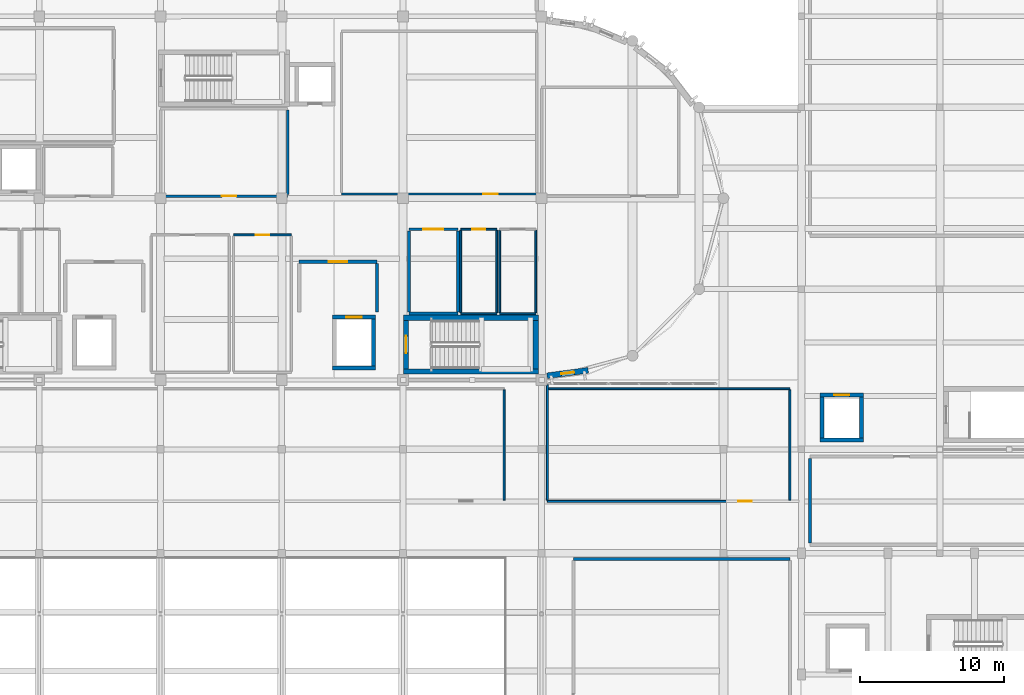
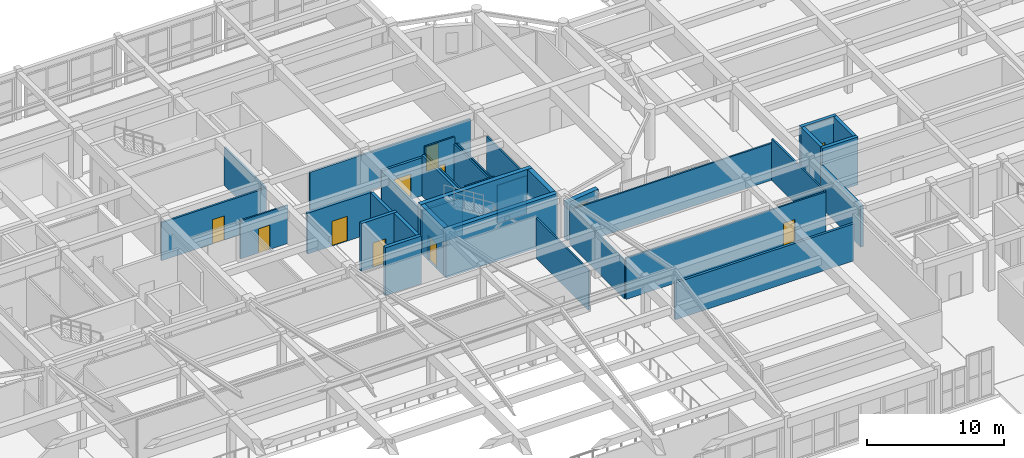
# One storey, part 71 of 91: 36 walls, 10 doors, 1 window, 11 openings.
"""IFC4 building model written with IfcOpenShell, lengths in metres."""

from ifc_helpers import new_model, si_unit, direction, frame, frame_2d, origin, place, context, subcontext, project, spatial, rectangle, extrude, material, layer, layer_set, type_object, element, fill, save


model = new_model("IFC4")

# Units and contexts
model_context = context("Model", 3, precision=1e-05, world=origin(), true_north=direction((0.0, 1.0)))
body_context = subcontext(model_context, "Body", "Model", "MODEL_VIEW")
ifc_project = project(units=[si_unit("LENGTHUNIT", "METRE"), si_unit("AREAUNIT", "SQUARE_METRE"), si_unit("VOLUMEUNIT", "CUBIC_METRE"), si_unit("PLANEANGLEUNIT", "RADIAN"), si_unit("MASSUNIT", "GRAM", prefix="KILO")], contexts=[model_context])

# Site, building, storey
site_placement = place(None, origin())
site = spatial("IfcSite", under=ifc_project, at=site_placement, CompositionType="ELEMENT")
building_placement = place(site_placement, origin())
building = spatial("IfcBuilding", under=site, at=building_placement, Name="Tarnavel Promenade Courthouse", CompositionType="ELEMENT")
storey_placement = place(building_placement, frame((0.0, 0.0, 9.89990234375)))
storey = spatial("IfcBuildingStorey", under=building, at=storey_placement, Name="L03", CompositionType="ELEMENT", Elevation=9.89990234375)

# Wall, opening, door
ifc_material_1 = material(Name="Acoustic Insulated Gypsum Stud Partition", Category="gypsum")
ifc_layer_1 = layer(ifc_material_1, 0.1650390625)
ifc_layer_set_1 = layer_set([ifc_layer_1], Name="Acoustic Insulated Gypsum Stud Partition")
wall_type_1 = type_object("IfcWallType", Name="Acoustic Insulated Gypsum Stud Partition WL-CHM-165 (165 mm)", PredefinedType="PARTITIONING", material=ifc_layer_set_1)
wall_1_placement = place(storey_placement, frame((84.39990234375, 91.949951171875, 0.0), z_axis=(0.0, 0.0, 1.0), x_axis=(-1.0, 0.0, 0.0)))
wall_1 = element("IfcWall", 1, at=wall_1_placement, inside=storey, type_object=wall_type_1, Name="L03 L03 Judicial Panel Deliberation Salon Partition 0533", PredefinedType="PARTITIONING", context=body_context, shape_type="SweptSolid", body=[
    extrude(rectangle(XDim=8.7998046875, YDim=0.1650390625, at=frame_2d((4.39990234375, 0.0))), origin(), (0.0, 0.0, 1.0), 3.380126953125),
])
opening_1_placement = place(wall_1_placement, frame((3.544921875, 0.0, 0.0)))
opening_1 = element("IfcOpeningElement", 2, at=opening_1_placement, cuts=wall_1, Name="Opening ID-03", PredefinedType="OPENING", context=body_context, shape_type="SweptSolid", body=[
    extrude(rectangle(XDim=1.0, YDim=2.14990234375, at=frame_2d((0.5, 1.074951171875))), frame((0.0, 0.092529296875, 0.0), z_axis=(0.0, -1.0, 0.0), x_axis=(1.0, 0.0, 0.0)), (0.0, 0.0, 1.0), 0.18505859375),
])
ifc_material_2 = material(Name="Acoustic Solid-Core Oak Jury Room Door")
door_type_1 = type_object("IfcDoorType", Name="Acoustic Solid-Core Oak Jury Room Door (DR-JRY-1000x2150)", OperationType="NOTDEFINED", PredefinedType="DOOR", material=ifc_material_2)
door_1_placement = place(opening_1_placement, origin())
door_1 = element("IfcDoor", 3, at=door_1_placement, inside=storey, type_object=door_type_1, Name="L03 L03 Judicial Panel Deliberation Salon Door 0153", OperationType="SINGLE_SWING_RIGHT", OverallHeight=2.14990234375, OverallWidth=1.0, PredefinedType="DOOR", context=body_context, shape_type="SweptSolid", body=[
    extrude(rectangle(XDim=1.0, YDim=2.14990234375, at=frame_2d((0.5, 1.074951171875))), frame((0.0, 0.02490234375, 0.0), z_axis=(0.0, -1.0, 0.0), x_axis=(1.0, 0.0, 0.0)), (0.0, 0.0, 1.0), 0.050048828125),
])
fill(opening_1, door_1)

# Wall
wall_2_placement = place(storey_placement, frame((84.39990234375, 97.907470703125, 0.0), z_axis=(0.0, 0.0, 1.0), x_axis=(0.0, -1.0, 0.0)))
element("IfcWall", 4, at=wall_2_placement, inside=storey, type_object=wall_type_1, Name="L03 L03 Judicial Panel Deliberation Salon Partition 0535", PredefinedType="PARTITIONING", context=body_context, shape_type="SweptSolid", body=[
    extrude(rectangle(XDim=5.864990234375, YDim=0.1650390625, at=frame_2d((2.9326171875, 0.0))), origin(), (0.0, 0.0, 1.0), 3.380126953125),
])

# Wall, opening, door
wall_3_placement = place(storey_placement, frame((101.659912109375, 92.090087890625, 0.0), z_axis=(0.0, 0.0, 1.0), x_axis=(-1.0, 0.0, 0.0)))
wall_3 = element("IfcWall", 5, at=wall_3_placement, inside=storey, type_object=wall_type_1, Name="L03 Sequestered Jury Room Central Partition 0537", PredefinedType="PARTITIONING", context=body_context, shape_type="SweptSolid", body=[
    extrude(rectangle(XDim=13.52001953125, YDim=0.1650390625, at=frame_2d((6.760009765625, 0.0))), origin(), (0.0, 0.0, 1.0), 3.380126953125),
])
opening_2_placement = place(wall_3_placement, frame((2.714111328125, 0.0, 0.0)))
opening_2 = element("IfcOpeningElement", 6, at=opening_2_placement, cuts=wall_3, Name="Opening ID-03", PredefinedType="OPENING", context=body_context, shape_type="SweptSolid", body=[
    extrude(rectangle(XDim=1.0, YDim=2.14990234375, at=frame_2d((0.5, 1.074951171875))), frame((0.0, 0.092529296875, 0.0), z_axis=(0.0, -1.0, 0.0), x_axis=(1.0, 0.0, 0.0)), (0.0, 0.0, 1.0), 0.18505859375),
])
door_2_placement = place(opening_2_placement, origin())
door_2 = element("IfcDoor", 7, at=door_2_placement, inside=storey, type_object=door_type_1, Name="L03 Sequestered Jury Room Central Door 0154", OperationType="SINGLE_SWING_LEFT", OverallHeight=2.14990234375, OverallWidth=1.0, PredefinedType="DOOR", context=body_context, shape_type="SweptSolid", body=[
    extrude(rectangle(XDim=1.0, YDim=2.14990234375, at=frame_2d((0.5, 1.074951171875))), frame((0.0, 0.02490234375, 0.0), z_axis=(0.0, -1.0, 0.0), x_axis=(1.0, 0.0, 0.0)), (0.0, 0.0, 1.0), 0.050048828125),
])
fill(opening_2, door_2)

ifc_material_3 = material(Name="Concrete C40/50", Category="concrete")
ifc_layer_2 = layer(ifc_material_3, 0.280029296875)
ifc_layer_set_2 = layer_set([ifc_layer_2], Name="Concrete C40/50")
wall_type_2 = type_object("IfcWallType", Name="Concrete C40/50 WL-SHR-280 (280 mm)", PredefinedType="SHEAR", material=ifc_layer_set_2)
wall_4_placement = place(storey_placement, frame((87.5, 83.56005859375, 0.0), z_axis=(0.0, 0.0, 1.0), x_axis=(1.0, 0.0, 0.0)))
wall_4 = element("IfcWall", 8, at=wall_4_placement, inside=storey, type_object=wall_type_2, Name="L03 L-FF2 Lift Shaft North Wall", PredefinedType="SHEAR", context=body_context, shape_type="SweptSolid", body=[
    extrude(rectangle(XDim=3.0, YDim=0.280029296875, at=frame_2d((1.5, 0.0))), origin(), (0.0, 0.0, 1.0), 4.25),
])
opening_3_placement = place(wall_4_placement, frame((0.949951171875, 0.0, 0.0)))
opening_3 = element("IfcOpeningElement", 9, at=opening_3_placement, cuts=wall_4, Name="Opening LD-01", PredefinedType="OPENING", context=body_context, shape_type="SweptSolid", body=[
    extrude(rectangle(XDim=1.10009765625, YDim=2.199951171875, at=frame_2d((0.550048828125, 1.10009765625))), frame((0.0, 0.14990234375, 0.0), z_axis=(0.0, -1.0, 0.0), x_axis=(1.0, 0.0, 0.0)), (0.0, 0.0, 1.0), 0.300048828125),
])
ifc_material_4 = material(Name="Stainless Steel Firefighting Lift Landing Sliding Door", Category="steel")
door_type_2 = type_object("IfcDoorType", Name="Stainless Steel Firefighting Lift Landing Sliding Door (LD-FF-1100x2200)", OperationType="NOTDEFINED", PredefinedType="DOOR", material=ifc_material_4)
door_3_placement = place(opening_3_placement, origin())
door_3 = element("IfcDoor", 10, at=door_3_placement, inside=storey, type_object=door_type_2, Name="L03 L-FF2 Lift Sliding Landing Door", OperationType="DOUBLE_DOOR_SLIDING", OverallHeight=2.199951171875, OverallWidth=1.10009765625, PredefinedType="DOOR", context=body_context, shape_type="SweptSolid", body=[
    extrude(rectangle(XDim=1.10009765625, YDim=2.199951171875, at=frame_2d((0.550048828125, 1.10009765625))), frame((0.0, 0.02490234375, 0.0), z_axis=(0.0, -1.0, 0.0), x_axis=(1.0, 0.0, 0.0)), (0.0, 0.0, 1.0), 0.050048828125),
])
fill(opening_3, door_3)

# Walls
wall_5_placement = place(storey_placement, frame((90.5, 80.0400390625, 0.0), z_axis=(0.0, 0.0, 1.0), x_axis=(-1.0, 0.0, 0.0)))
element("IfcWall", 11, at=wall_5_placement, inside=storey, type_object=wall_type_2, Name="L03 L-FF2 Lift Shaft South Wall", PredefinedType="SHEAR", context=body_context, shape_type="SweptSolid", body=[
    extrude(rectangle(XDim=3.0, YDim=0.280029296875, at=frame_2d((1.5, 0.0))), origin(), (0.0, 0.0, 1.0), 4.25),
])
wall_6_placement = place(storey_placement, frame((90.360107421875, 83.419921875, 0.0), z_axis=(0.0, 0.0, 1.0), x_axis=(0.0, -1.0, 0.0)))
element("IfcWall", 12, at=wall_6_placement, inside=storey, type_object=wall_type_2, Name="L03 L-FF2 Lift Shaft East Wall", PredefinedType="SHEAR", context=body_context, shape_type="SweptSolid", body=[
    extrude(rectangle(XDim=3.239990234375, YDim=0.280029296875, at=frame_2d((1.6201171875, 0.0))), origin(), (0.0, 0.0, 1.0), 4.25),
])

# Wall, opening, door
wall_7_placement = place(storey_placement, frame((121.300048828125, 78.159912109375, 0.0), z_axis=(0.0, 0.0, 1.0), x_axis=(1.0, 0.0, 0.0)))
wall_7 = element("IfcWall", 13, at=wall_7_placement, inside=storey, type_object=wall_type_2, Name="L03 L-CUS1 Lift Shaft North Wall", PredefinedType="SHEAR", context=body_context, shape_type="SweptSolid", body=[
    extrude(rectangle(XDim=3.0, YDim=0.280029296875, at=frame_2d((1.5, 0.0))), origin(), (0.0, 0.0, 1.0), 4.25),
])
opening_4_placement = place(wall_7_placement, frame((0.97509765625, 0.0, 0.0)))
opening_4 = element("IfcOpeningElement", 14, at=opening_4_placement, cuts=wall_7, Name="Opening LD-02", PredefinedType="OPENING", context=body_context, shape_type="SweptSolid", body=[
    extrude(rectangle(XDim=1.050048828125, YDim=2.199951171875, at=frame_2d((0.52490234375, 1.10009765625))), frame((0.0, 0.14990234375, 0.0), z_axis=(0.0, -1.0, 0.0), x_axis=(1.0, 0.0, 0.0)), (0.0, 0.0, 1.0), 0.300048828125),
])
ifc_material_5 = material(Name="Brushed Bronze Passenger Lift Landing Sliding Door")
door_type_3 = type_object("IfcDoorType", Name="Brushed Bronze Passenger Lift Landing Sliding Door (LD-PUB-1050x2200)", OperationType="NOTDEFINED", PredefinedType="DOOR", material=ifc_material_5)
door_4_placement = place(opening_4_placement, origin())
door_4 = element("IfcDoor", 15, at=door_4_placement, inside=storey, type_object=door_type_3, Name="L03 L-CUS1 Lift Sliding Landing Door", OperationType="DOUBLE_DOOR_SLIDING", OverallHeight=2.199951171875, OverallWidth=1.050048828125, PredefinedType="DOOR", context=body_context, shape_type="SweptSolid", body=[
    extrude(rectangle(XDim=1.050048828125, YDim=2.199951171875, at=frame_2d((0.52490234375, 1.10009765625))), frame((0.0, 0.02490234375, 0.0), z_axis=(0.0, -1.0, 0.0), x_axis=(1.0, 0.0, 0.0)), (0.0, 0.0, 1.0), 0.050048828125),
])
fill(opening_4, door_4)

# Walls
wall_8_placement = place(storey_placement, frame((124.300048828125, 75.0400390625, 0.0), z_axis=(0.0, 0.0, 1.0), x_axis=(-1.0, 0.0, 0.0)))
element("IfcWall", 16, at=wall_8_placement, inside=storey, type_object=wall_type_2, Name="L03 L-CUS1 Lift Shaft South Wall", PredefinedType="SHEAR", context=body_context, shape_type="SweptSolid", body=[
    extrude(rectangle(XDim=3.0, YDim=0.280029296875, at=frame_2d((1.5, 0.0))), origin(), (0.0, 0.0, 1.0), 4.25),
])
for number, where, z_axis, x_axis, name in (
    (17, (121.43994140625, 75.179931640625, 0.0), (0.0, 0.0, 1.0), (0.0, 1.0, 0.0), "L03 L-CUS1 Lift Shaft West Wall"),
    (18, (124.159912109375, 78.02001953125, 0.0), (0.0, 0.0, 1.0), (0.0, -1.0, 0.0), "L03 L-CUS1 Lift Shaft East Wall"),
):
    element("IfcWall", number, at=place(storey_placement, frame(where, z_axis=z_axis, x_axis=x_axis)), inside=storey, type_object=wall_type_2, Name=name, PredefinedType="SHEAR", context=body_context, shape_type="SweptSolid", body=[
        extrude(rectangle(XDim=2.840087890625, YDim=0.280029296875, at=frame_2d((1.419921875, 0.0))), origin(), (0.0, 0.0, 1.0), 4.25),
    ])
ifc_layer_3 = layer(ifc_material_3, 0.360107421875)
ifc_layer_set_3 = layer_set([ifc_layer_3], Name="Concrete C40/50")
wall_type_3 = type_object("IfcWallType", Name="Concrete C40/50 WL-SHR-360 (360 mm)", PredefinedType="SHEAR", material=ifc_layer_set_3)
for number, where, z_axis, x_axis, name in (
    (19, (92.419921875, 83.52001953125, 0.0), (0.0, 0.0, 1.0), (1.0, 0.0, 0.0), "L03 ST-02 Shear Core North Wall"),
    (20, (101.780029296875, 79.800048828125, 0.0), (0.0, 0.0, 1.0), (-1.0, 0.0, 0.0), "L03 ST-02 Shear Core South Wall"),
):
    element("IfcWall", number, at=place(storey_placement, frame(where, z_axis=z_axis, x_axis=x_axis)), inside=storey, type_object=wall_type_3, Name=name, PredefinedType="SHEAR", context=body_context, shape_type="SweptSolid", body=[
        extrude(rectangle(XDim=9.360107421875, YDim=0.360107421875, at=frame_2d((4.68017578125, 0.0))), origin(), (0.0, 0.0, 1.0), 4.25),
    ])

# Wall, opening, door
wall_9_placement = place(storey_placement, frame((92.60009765625, 79.97998046875, 0.0), z_axis=(0.0, 0.0, 1.0), x_axis=(0.0, 1.0, 0.0)))
wall_9 = element("IfcWall", 21, at=wall_9_placement, inside=storey, type_object=wall_type_3, Name="L03 ST-02 Shear Core West Landing Wall", PredefinedType="SHEAR", context=body_context, shape_type="SweptSolid", body=[
    extrude(rectangle(XDim=3.360107421875, YDim=0.360107421875, at=frame_2d((1.68017578125, 0.0))), origin(), (0.0, 0.0, 1.0), 4.25),
])
opening_5_placement = place(wall_9_placement, frame((1.080078125, 0.0, 0.0)))
opening_5 = element("IfcOpeningElement", 22, at=opening_5_placement, cuts=wall_9, Name="Opening FD-02", PredefinedType="OPENING", context=body_context, shape_type="SweptSolid", body=[
    extrude(rectangle(XDim=1.199951171875, YDim=2.199951171875, at=frame_2d((0.60009765625, 1.10009765625))), frame((0.0, 0.18994140625, 0.0), z_axis=(0.0, -1.0, 0.0), x_axis=(1.0, 0.0, 0.0)), (0.0, 0.0, 1.0), 0.380126953125),
])
ifc_material_6 = material(Name="Steel Fire-Rated Firefighting Stair Door", Category="steel")
door_type_4 = type_object("IfcDoorType", Name="Steel Fire-Rated Firefighting Stair Door (DR-ST-1200x2200)", OperationType="NOTDEFINED", PredefinedType="DOOR", material=ifc_material_6)
door_5_placement = place(opening_5_placement, origin())
door_5 = element("IfcDoor", 23, at=door_5_placement, inside=storey, type_object=door_type_4, Name="L03 ST-02 Protected Exit Stair Door", OperationType="SINGLE_SWING_LEFT", OverallHeight=2.199951171875, OverallWidth=1.199951171875, PredefinedType="DOOR", context=body_context, shape_type="SweptSolid", body=[
    extrude(rectangle(XDim=1.199951171875, YDim=2.199951171875, at=frame_2d((0.60009765625, 1.10009765625))), frame((0.0, 0.02490234375, 0.0), z_axis=(0.0, -1.0, 0.0), x_axis=(1.0, 0.0, 0.0)), (0.0, 0.0, 1.0), 0.050048828125),
])
fill(opening_5, door_5)

# Wall
wall_10_placement = place(storey_placement, frame((101.60009765625, 83.340087890625, 0.0), z_axis=(0.0, 0.0, 1.0), x_axis=(0.0, -1.0, 0.0)))
element("IfcWall", 24, at=wall_10_placement, inside=storey, type_object=wall_type_3, Name="L03 ST-02 Shear Core East Wall", PredefinedType="SHEAR", context=body_context, shape_type="SweptSolid", body=[
    extrude(rectangle(XDim=3.360107421875, YDim=0.360107421875, at=frame_2d((1.68017578125, 0.0))), origin(), (0.0, 0.0, 1.0), 4.25),
])

# Wall, opening, door
ifc_material_7 = material(Name="Concrete Masonry Fire Compartment Wall", Category="masonry")
ifc_layer_4 = layer(ifc_material_7, 0.205078125)
ifc_layer_set_4 = layer_set([ifc_layer_4], Name="Concrete Masonry Fire Compartment Wall")
wall_type_4 = type_object("IfcWallType", Name="Concrete Masonry Fire Compartment Wall WL-CMP-205 (205 mm)", PredefinedType="STANDARD", material=ifc_layer_set_4)
wall_11_placement = place(storey_placement, frame((92.800048828125, 89.64990234375, 0.0), z_axis=(0.0, 0.0, 1.0), x_axis=(1.0, 0.0, 0.0)))
wall_11 = element("IfcWall", 25, at=wall_11_placement, inside=storey, type_object=wall_type_4, Name="L03 L03 Court Transcript Records Room Partition 0428", PredefinedType="STANDARD", context=body_context, shape_type="SweptSolid", body=[
    extrude(rectangle(XDim=3.39990234375, YDim=0.205078125, at=frame_2d((1.699951171875, 0.0))), origin(), (0.0, 0.0, 1.0), 3.380126953125),
])
opening_6_placement = place(wall_11_placement, frame((1.0, 0.0, 0.0)))
opening_6 = element("IfcOpeningElement", 26, at=opening_6_placement, cuts=wall_11, Name="Opening FD-04", PredefinedType="OPENING", context=body_context, shape_type="SweptSolid", body=[
    extrude(rectangle(XDim=1.39990234375, YDim=2.25, at=frame_2d((0.699951171875, 1.125))), frame((0.0, 0.112548828125, 0.0), z_axis=(0.0, -1.0, 0.0), x_axis=(1.0, 0.0, 0.0)), (0.0, 0.0, 1.0), 0.22509765625),
])
ifc_material_8 = material(Name="Heavy Steel Plant Room Fire Door", Category="steel")
door_type_5 = type_object("IfcDoorType", Name="Heavy Steel Plant Room Fire Door (DR-PLT-1400x2250)", OperationType="NOTDEFINED", PredefinedType="DOOR", material=ifc_material_8)
door_6_placement = place(opening_6_placement, origin())
door_6 = element("IfcDoor", 27, at=door_6_placement, inside=storey, type_object=door_type_5, Name="L03 L03 Court Transcript Records Room Door 0122", OperationType="SINGLE_SWING_RIGHT", OverallHeight=2.25, OverallWidth=1.39990234375, PredefinedType="DOOR", context=body_context, shape_type="SweptSolid", body=[
    extrude(rectangle(XDim=1.39990234375, YDim=2.25, at=frame_2d((0.699951171875, 1.125))), frame((0.0, 0.02490234375, 0.0), z_axis=(0.0, -1.0, 0.0), x_axis=(1.0, 0.0, 0.0)), (0.0, 0.0, 1.0), 0.050048828125),
])
fill(opening_6, door_6)

# Walls
wall_12_placement = place(storey_placement, frame((96.199951171875, 83.800048828125, 0.0), z_axis=(0.0, 0.0, 1.0), x_axis=(-1.0, 0.0, 0.0)))
element("IfcWall", 28, at=wall_12_placement, inside=storey, type_object=wall_type_4, Name="L03 L03 Court Transcript Records Room Partition 0429", PredefinedType="STANDARD", context=body_context, shape_type="SweptSolid", body=[
    extrude(rectangle(XDim=3.39990234375, YDim=0.205078125, at=frame_2d((1.699951171875, 0.0))), origin(), (0.0, 0.0, 1.0), 3.380126953125),
])
wall_13_placement = place(storey_placement, frame((92.800048828125, 83.91259765625, 0.0), z_axis=(0.0, 0.0, 1.0), x_axis=(0.0, 1.0, 0.0)))
element("IfcWall", 29, at=wall_13_placement, inside=storey, type_object=wall_type_4, Name="L03 L03 Court Transcript Records Room Partition 0430", PredefinedType="STANDARD", context=body_context, shape_type="SweptSolid", body=[
    extrude(rectangle(XDim=5.625, YDim=0.205078125, at=frame_2d((2.8125, 0.0))), origin(), (0.0, 0.0, 1.0), 3.380126953125),
])
wall_14_placement = place(storey_placement, frame((96.199951171875, 89.53759765625, 0.0), z_axis=(0.0, 0.0, 1.0), x_axis=(0.0, -1.0, 0.0)))
element("IfcWall", 30, at=wall_14_placement, inside=storey, type_object=wall_type_4, Name="L03 L03 Court Transcript Records Room Partition 0431", PredefinedType="STANDARD", context=body_context, shape_type="SweptSolid", body=[
    extrude(rectangle(XDim=5.625, YDim=0.205078125, at=frame_2d((2.8125, 0.0))), origin(), (0.0, 0.0, 1.0), 3.630126953125),
])
wall_15_placement = place(storey_placement, frame((104.199951171875, 66.800048828125, 0.0), z_axis=(0.0, 0.0, 1.0), x_axis=(1.0, 0.0, 0.0)))
element("IfcWall", 31, at=wall_15_placement, inside=storey, type_object=wall_type_4, Name="L03 Upper Balcony Judicial Press and Public Records Room Partition 0496", PredefinedType="STANDARD", context=body_context, shape_type="SweptSolid", body=[
    extrude(rectangle(XDim=15.0, YDim=0.205078125, at=frame_2d((7.5, 0.0))), origin(), (0.0, 0.0, 1.0), 3.280029296875),
])

# Wall, opening, door
ifc_layer_5 = layer(ifc_material_7, 0.22998046875)
ifc_layer_set_5 = layer_set([ifc_layer_5], Name="Concrete Masonry Fire Compartment Wall")
wall_type_5 = type_object("IfcWallType", Name="Concrete Masonry Fire Compartment Wall WL-CMP-230 (230 mm)", PredefinedType="STANDARD", material=ifc_layer_set_5)
wall_16_placement = place(storey_placement, frame((85.199951171875, 87.39990234375, 0.0), z_axis=(0.0, 0.0, 1.0), x_axis=(1.0, 0.0, 0.0)))
wall_16 = element("IfcWall", 32, at=wall_16_placement, inside=storey, type_object=wall_type_5, Name="L03 Firefighting Lobby L-FF2 Partition 0405", PredefinedType="STANDARD", context=body_context, shape_type="SweptSolid", body=[
    extrude(rectangle(XDim=5.400146484375, YDim=0.22998046875, at=frame_2d((2.7001953125, 0.0))), origin(), (0.0, 0.0, 1.0), 3.630126953125),
])
opening_7_placement = place(wall_16_placement, frame((2.050048828125, 0.0, 0.0)))
opening_7 = element("IfcOpeningElement", 33, at=opening_7_placement, cuts=wall_16, Name="Opening FD-03", PredefinedType="OPENING", context=body_context, shape_type="SweptSolid", body=[
    extrude(rectangle(XDim=1.300048828125, YDim=2.199951171875, at=frame_2d((0.64990234375, 1.10009765625))), frame((0.0, 0.125, 0.0), z_axis=(0.0, -1.0, 0.0), x_axis=(1.0, 0.0, 0.0)), (0.0, 0.0, 1.0), 0.25),
])
ifc_material_9 = material(Name="Smoke-Sealed Firefighting Lobby Fire Door")
door_type_6 = type_object("IfcDoorType", Name="Smoke-Sealed Firefighting Lobby Fire Door (DR-FFL-1300x2200)", OperationType="NOTDEFINED", PredefinedType="DOOR", material=ifc_material_9)
door_7_placement = place(opening_7_placement, origin())
door_7 = element("IfcDoor", 34, at=door_7_placement, inside=storey, type_object=door_type_6, Name="L03 Firefighting Lobby L-FF2 Door 0116", OperationType="SINGLE_SWING_RIGHT", OverallHeight=2.199951171875, OverallWidth=1.300048828125, PredefinedType="DOOR", context=body_context, shape_type="SweptSolid", body=[
    extrude(rectangle(XDim=1.300048828125, YDim=2.199951171875, at=frame_2d((0.64990234375, 1.10009765625))), frame((0.0, 0.02490234375, 0.0), z_axis=(0.0, -1.0, 0.0), x_axis=(1.0, 0.0, 0.0)), (0.0, 0.0, 1.0), 0.050048828125),
])
fill(opening_7, door_7)

# Walls
wall_17_placement = place(storey_placement, frame((90.60009765625, 87.27490234375, 0.0), z_axis=(0.0, 0.0, 1.0), x_axis=(0.0, -1.0, 0.0)))
element("IfcWall", 35, at=wall_17_placement, inside=storey, type_object=wall_type_5, Name="L03 Firefighting Lobby L-FF2 Partition 0407", PredefinedType="STANDARD", context=body_context, shape_type="SweptSolid", body=[
    extrude(rectangle(XDim=3.349853515625, YDim=0.22998046875, at=frame_2d((1.6748046875, 0.0))), origin(), (0.0, 0.0, 1.0), 3.630126953125),
])
wall_18_placement = place(storey_placement, frame((120.60009765625, 67.925048828125, 0.0), z_axis=(0.0, 0.0, 1.0), x_axis=(0.0, 1.0, 0.0)))
element("IfcWall", 36, at=wall_18_placement, inside=storey, type_object=wall_type_5, Name="L03 Custody Suite Trial Dock Holding Suite Partition 0517", PredefinedType="STANDARD", context=body_context, shape_type="SweptSolid", body=[
    extrude(rectangle(XDim=5.849853515625, YDim=0.22998046875, at=frame_2d((2.9248046875, 0.0))), origin(), (0.0, 0.0, 1.0), 3.68017578125),
])
ifc_material_10 = material(Name="Metal-Stud Acoustic Gypsum Partition", Category="gypsum")
ifc_layer_6 = layer(ifc_material_10, 0.135009765625)
ifc_layer_set_6 = layer_set([ifc_layer_6], Name="Metal-Stud Acoustic Gypsum Partition")
wall_type_6 = type_object("IfcWallType", Name="Metal-Stud Acoustic Gypsum Partition WL-OFF-135 (135 mm)", PredefinedType="PARTITIONING", material=ifc_layer_set_6)
wall_19_placement = place(storey_placement, frame((99.39990234375, 78.5224609375, 0.0), z_axis=(0.0, 0.0, 1.0), x_axis=(0.0, -1.0, 0.0)))
element("IfcWall", 37, at=wall_19_placement, inside=storey, type_object=wall_type_6, Name="L03 Upper Balcony Appellate Case Docket Registry Partition 0491", PredefinedType="PARTITIONING", context=body_context, shape_type="SweptSolid", body=[
    extrude(rectangle(XDim=7.64501953125, YDim=0.135009765625, at=frame_2d((3.822509765625, 0.0))), origin(), (0.0, 0.0, 1.0), 3.580078125),
])
wall_20_placement = place(storey_placement, frame((102.39990234375, 78.60009765625, 0.0), z_axis=(0.0, 0.0, 1.0), x_axis=(1.0, 0.0, 0.0)))
element("IfcWall", 38, at=wall_20_placement, inside=storey, type_object=wall_type_6, Name="L03 Upper Balcony Court Administration Suite Partition 0500", PredefinedType="PARTITIONING", context=body_context, shape_type="SweptSolid", body=[
    extrude(rectangle(XDim=16.800048828125, YDim=0.135009765625, at=frame_2d((8.39990234375, 0.0))), origin(), (0.0, 0.0, 1.0), 3.280029296875),
])

# Wall, opening, door
wall_21_placement = place(storey_placement, frame((119.199951171875, 70.800048828125, 0.0), z_axis=(0.0, 0.0, 1.0), x_axis=(-1.0, 0.0, 0.0)))
wall_21 = element("IfcWall", 39, at=wall_21_placement, inside=storey, type_object=wall_type_6, Name="L03 Upper Balcony Court Administration Suite Partition 0501", PredefinedType="PARTITIONING", context=body_context, shape_type="SweptSolid", body=[
    extrude(rectangle(XDim=16.800048828125, YDim=0.135009765625, at=frame_2d((8.39990234375, 0.0))), origin(), (0.0, 0.0, 1.0), 3.68017578125),
])
opening_8_placement = place(wall_21_placement, frame((2.62255859375, 0.0, 0.0)))
opening_8 = element("IfcOpeningElement", 40, at=opening_8_placement, cuts=wall_21, Name="Opening ID-06", PredefinedType="OPENING", context=body_context, shape_type="SweptSolid", body=[
    extrude(rectangle(XDim=0.949951171875, YDim=2.14990234375, at=frame_2d((0.47509765625, 1.074951171875))), frame((0.0, 0.077392578125, 0.0), z_axis=(0.0, -1.0, 0.0), x_axis=(1.0, 0.0, 0.0)), (0.0, 0.0, 1.0), 0.155029296875),
])
ifc_material_11 = material(Name="Acoustic Timber Veneer Office Door", Category="wood")
door_type_7 = type_object("IfcDoorType", Name="Acoustic Timber Veneer Office Door (DR-OFF-0950x2150)", OperationType="NOTDEFINED", PredefinedType="DOOR", material=ifc_material_11)
door_8_placement = place(opening_8_placement, origin())
door_8 = element("IfcDoor", 41, at=door_8_placement, inside=storey, type_object=door_type_7, Name="L03 Upper Balcony Court Administration Suite Door 0143", OperationType="SINGLE_SWING_LEFT", OverallHeight=2.14990234375, OverallWidth=0.949951171875, PredefinedType="DOOR", context=body_context, shape_type="SweptSolid", body=[
    extrude(rectangle(XDim=0.949951171875, YDim=2.14990234375, at=frame_2d((0.47509765625, 1.074951171875))), frame((0.0, 0.02490234375, 0.0), z_axis=(0.0, -1.0, 0.0), x_axis=(1.0, 0.0, 0.0)), (0.0, 0.0, 1.0), 0.050048828125),
])
fill(opening_8, door_8)

# Walls
wall_22_placement = place(storey_placement, frame((102.39990234375, 70.87744140625, 0.0), z_axis=(0.0, 0.0, 1.0), x_axis=(0.0, 1.0, 0.0)))
element("IfcWall", 42, at=wall_22_placement, inside=storey, type_object=wall_type_6, Name="L03 Upper Balcony Court Administration Suite Partition 0502", PredefinedType="PARTITIONING", context=body_context, shape_type="SweptSolid", body=[
    extrude(rectangle(XDim=7.982666015625, YDim=0.135009765625, at=frame_2d((3.9912109375, 0.0))), origin(), (0.0, 0.0, 1.0), 3.380126953125),
])
wall_23_placement = place(storey_placement, frame((119.199951171875, 78.5224609375, 0.0), z_axis=(0.0, 0.0, 1.0), x_axis=(0.0, -1.0, 0.0)))
element("IfcWall", 43, at=wall_23_placement, inside=storey, type_object=wall_type_6, Name="L03 Upper Balcony Court Administration Suite Partition 0503", PredefinedType="PARTITIONING", context=body_context, shape_type="SweptSolid", body=[
    extrude(rectangle(XDim=7.64501953125, YDim=0.135009765625, at=frame_2d((3.822509765625, 0.0))), origin(), (0.0, 0.0, 1.0), 3.68017578125),
])

# Wall, opening, door
wall_24_placement = place(storey_placement, frame((80.654052734375, 89.260009765625, 0.0), z_axis=(0.0, 0.0, 1.0), x_axis=(1.0, 0.0, 0.0)))
wall_24 = element("IfcWall", 44, at=wall_24_placement, inside=storey, type_object=wall_type_6, Name="L03 Public Defenders' Suite Partition 0544", PredefinedType="PARTITIONING", context=body_context, shape_type="SweptSolid", body=[
    extrude(rectangle(XDim=4.005859375, YDim=0.135009765625, at=frame_2d((2.0029296875, 0.0))), origin(), (0.0, 0.0, 1.0), 3.380126953125),
])
opening_9_placement = place(wall_24_placement, frame((1.528076171875, 0.0, 0.0)))
opening_9 = element("IfcOpeningElement", 45, at=opening_9_placement, cuts=wall_24, Name="Opening ID-06", PredefinedType="OPENING", context=body_context, shape_type="SweptSolid", body=[
    extrude(rectangle(XDim=0.949951171875, YDim=2.14990234375, at=frame_2d((0.47509765625, 1.074951171875))), frame((0.0, 0.077392578125, 0.0), z_axis=(0.0, -1.0, 0.0), x_axis=(1.0, 0.0, 0.0)), (0.0, 0.0, 1.0), 0.155029296875),
])
door_9_placement = place(opening_9_placement, origin())
door_9 = element("IfcDoor", 46, at=door_9_placement, inside=storey, type_object=door_type_7, Name="L03 Public Defenders' Suite Door 0156", OperationType="SINGLE_SWING_LEFT", OverallHeight=2.14990234375, OverallWidth=0.949951171875, PredefinedType="DOOR", context=body_context, shape_type="SweptSolid", body=[
    extrude(rectangle(XDim=0.949951171875, YDim=2.14990234375, at=frame_2d((0.47509765625, 1.074951171875))), frame((0.0, 0.02490234375, 0.0), z_axis=(0.0, -1.0, 0.0), x_axis=(1.0, 0.0, 0.0)), (0.0, 0.0, 1.0), 0.050048828125),
])
fill(opening_9, door_9)

ifc_material_12 = material(Name="Moisture-Resistant Tile-Backed Stud Partition", Category="gypsum")
ifc_layer_7 = layer(ifc_material_12, 0.125)
ifc_layer_set_7 = layer_set([ifc_layer_7], Name="Moisture-Resistant Tile-Backed Stud Partition")
wall_type_7 = type_object("IfcWallType", Name="Moisture-Resistant Tile-Backed Stud Partition WL-WET-125 (125 mm)", PredefinedType="PARTITIONING", material=ifc_layer_set_7)
wall_25_placement = place(storey_placement, frame((96.39990234375, 89.64990234375, 0.0), z_axis=(0.0, 0.0, 1.0), x_axis=(1.0, 0.0, 0.0)))
wall_25 = element("IfcWall", 47, at=wall_25_placement, inside=storey, type_object=wall_type_7, Name="L03 Staff WC Partition 0416", PredefinedType="PARTITIONING", context=body_context, shape_type="SweptSolid", body=[
    extrude(rectangle(XDim=2.5, YDim=0.125, at=frame_2d((1.25, 0.0))), origin(), (0.0, 0.0, 1.0), 4.235107421875),
])
opening_10_placement = place(wall_25_placement, frame((0.800048828125, 0.0, 0.0)))
opening_10 = element("IfcOpeningElement", 48, at=opening_10_placement, cuts=wall_25, Name="Opening ID-08", PredefinedType="OPENING", context=body_context, shape_type="SweptSolid", body=[
    extrude(rectangle(XDim=0.89990234375, YDim=2.10009765625, at=frame_2d((0.449951171875, 1.050048828125))), frame((0.0, 0.072509765625, 0.0), z_axis=(0.0, -1.0, 0.0), x_axis=(1.0, 0.0, 0.0)), (0.0, 0.0, 1.0), 0.14501953125),
])
ifc_material_13 = material(Name="Moisture-Resistant Laminate Restroom Door")
door_type_8 = type_object("IfcDoorType", Name="Moisture-Resistant Laminate Restroom Door (DR-WC-0900x2100)", OperationType="NOTDEFINED", PredefinedType="DOOR", material=ifc_material_13)
door_10_placement = place(opening_10_placement, origin())
door_10 = element("IfcDoor", 49, at=door_10_placement, inside=storey, type_object=door_type_8, Name="L03 Staff WC Door 0119", OperationType="SINGLE_SWING_LEFT", OverallHeight=2.10009765625, OverallWidth=0.89990234375, PredefinedType="DOOR", context=body_context, shape_type="SweptSolid", body=[
    extrude(rectangle(XDim=0.89990234375, YDim=2.10009765625, at=frame_2d((0.449951171875, 1.050048828125))), frame((0.0, 0.02490234375, 0.0), z_axis=(0.0, -1.0, 0.0), x_axis=(1.0, 0.0, 0.0)), (0.0, 0.0, 1.0), 0.050048828125),
])
fill(opening_10, door_10)

# Walls
wall_26_placement = place(storey_placement, frame((98.89990234375, 83.800048828125, 0.0), z_axis=(0.0, 0.0, 1.0), x_axis=(-1.0, 0.0, 0.0)))
element("IfcWall", 50, at=wall_26_placement, inside=storey, type_object=wall_type_7, Name="L03 Staff WC Partition 0417", PredefinedType="PARTITIONING", context=body_context, shape_type="SweptSolid", body=[
    extrude(rectangle(XDim=2.5, YDim=0.125, at=frame_2d((1.25, 0.0))), origin(), (0.0, 0.0, 1.0), 4.235107421875),
])
for number, where, z_axis, x_axis, name in (
    (51, (96.39990234375, 83.87255859375, 0.0), (0.0, 0.0, 1.0), (0.0, 1.0, 0.0), "L03 Staff WC Partition 0418"),
    (52, (98.89990234375, 89.577392578125, 0.0), (0.0, 0.0, 1.0), (0.0, -1.0, 0.0), "L03 Staff WC Partition 0419"),
):
    element("IfcWall", number, at=place(storey_placement, frame(where, z_axis=z_axis, x_axis=x_axis)), inside=storey, type_object=wall_type_7, Name=name, PredefinedType="PARTITIONING", context=body_context, shape_type="SweptSolid", body=[
        extrude(rectangle(XDim=5.704833984375, YDim=0.125, at=frame_2d((2.8525390625, 0.0))), origin(), (0.0, 0.0, 1.0), 3.630126953125),
    ])
wall_27_placement = place(storey_placement, frame((101.60009765625, 83.800048828125, 0.0), z_axis=(0.0, 0.0, 1.0), x_axis=(-1.0, 0.0, 0.0)))
element("IfcWall", 53, at=wall_27_placement, inside=storey, type_object=wall_type_7, Name="L03 Accessible Staff WC Partition 0421", PredefinedType="PARTITIONING", context=body_context, shape_type="SweptSolid", body=[
    extrude(rectangle(XDim=2.5, YDim=0.125, at=frame_2d((1.25, 0.0))), origin(), (0.0, 0.0, 1.0), 3.380126953125),
])
wall_28_placement = place(storey_placement, frame((99.10009765625, 83.87255859375, 0.0), z_axis=(0.0, 0.0, 1.0), x_axis=(0.0, 1.0, 0.0)))
element("IfcWall", 54, at=wall_28_placement, inside=storey, type_object=wall_type_7, Name="L03 Accessible Staff WC Partition 0422", PredefinedType="PARTITIONING", context=body_context, shape_type="SweptSolid", body=[
    extrude(rectangle(XDim=5.704833984375, YDim=0.125, at=frame_2d((2.8525390625, 0.0))), origin(), (0.0, 0.0, 1.0), 3.630126953125),
])
wall_29_placement = place(storey_placement, frame((101.60009765625, 89.577392578125, 0.0), z_axis=(0.0, 0.0, 1.0), x_axis=(0.0, -1.0, 0.0)))
element("IfcWall", 55, at=wall_29_placement, inside=storey, type_object=wall_type_7, Name="L03 Accessible Staff WC Partition 0423", PredefinedType="PARTITIONING", context=body_context, shape_type="SweptSolid", body=[
    extrude(rectangle(XDim=5.704833984375, YDim=0.125, at=frame_2d((2.8525390625, 0.0))), origin(), (0.0, 0.0, 1.0), 3.380126953125),
])

# Wall, opening, window
ifc_material_14 = material(Name="Patinated Copper-Bronze Insulated Drum Wall Assembly", Category="masonry")
ifc_layer_8 = layer(ifc_material_14, 0.39501953125)
ifc_layer_set_8 = layer_set([ifc_layer_8], Name="Patinated Copper-Bronze Insulated Drum Wall Assembly")
wall_type_8 = type_object("IfcWallType", Name="Patinated Copper-Bronze Insulated Drum Wall Assembly WL-DRUM-395 (395 mm)", PredefinedType="ELEMENTEDWALL", material=ifc_layer_set_8)
wall_30_placement = place(storey_placement, frame((102.37890625, 79.501953125, 0.0), z_axis=(0.0, 0.0, 1.0), x_axis=(0.991440991126, 0.130555586306, 0.0)))
wall_30 = element("IfcWall", 56, at=wall_30_placement, inside=storey, type_object=wall_type_8, Name="L03 E Copper Drum Chord Wall 01 0069", PredefinedType="ELEMENTEDWALL", context=body_context, shape_type="SweptSolid", body=[
    extrude(rectangle(XDim=2.874267578125, YDim=0.39501953125, at=frame_2d((1.43701171875, 0.0))), origin(), (0.0, 0.0, 1.0), 3.380126953125),
])
opening_11_placement = place(wall_30_placement, frame((0.987060546875, 0.0, 0.85009765625)))
opening_11 = element("IfcOpeningElement", 57, at=opening_11_placement, cuts=wall_30, Name="Opening W-08", PredefinedType="OPENING", context=body_context, shape_type="SweptSolid", body=[
    extrude(rectangle(XDim=0.89990234375, YDim=1.85009765625, at=frame_2d((0.449951171875, 0.925048828125))), frame((0.0, 0.20751953125, 0.0), z_axis=(0.0, -1.0, 0.0), x_axis=(1.0, 0.0, 0.0)), (0.0, 0.0, 1.0), 0.4150390625),
])
ifc_material_15 = material(Name="Triple Low-E Glazed Bronze-Clad Window Assembly")
window_type = type_object("IfcWindowType", Name="Triple-Glazed Bronze-Clad Timber-Aluminium WIN-DRM-0900x1850", PartitioningType="SINGLE_PANEL", PredefinedType="WINDOW", material=ifc_material_15)
window_placement = place(opening_11_placement, origin())
window = element("IfcWindow", 58, at=window_placement, inside=storey, type_object=window_type, Name="L03 Exterior Window 0043", OverallHeight=1.85009765625, OverallWidth=0.89990234375, PartitioningType="SINGLE_PANEL", PredefinedType="WINDOW", context=body_context, shape_type="SweptSolid", body=[
    extrude(rectangle(XDim=0.89990234375, YDim=1.85009765625, at=frame_2d((0.449951171875, 0.925048828125))), frame((0.0, 0.030029296875, 0.0), z_axis=(0.0, -1.0, 0.0), x_axis=(1.0, 0.0, 0.0)), (0.0, 0.0, 1.0), 0.06005859375),
])
fill(opening_11, window)

save(model, "model.ifc")
